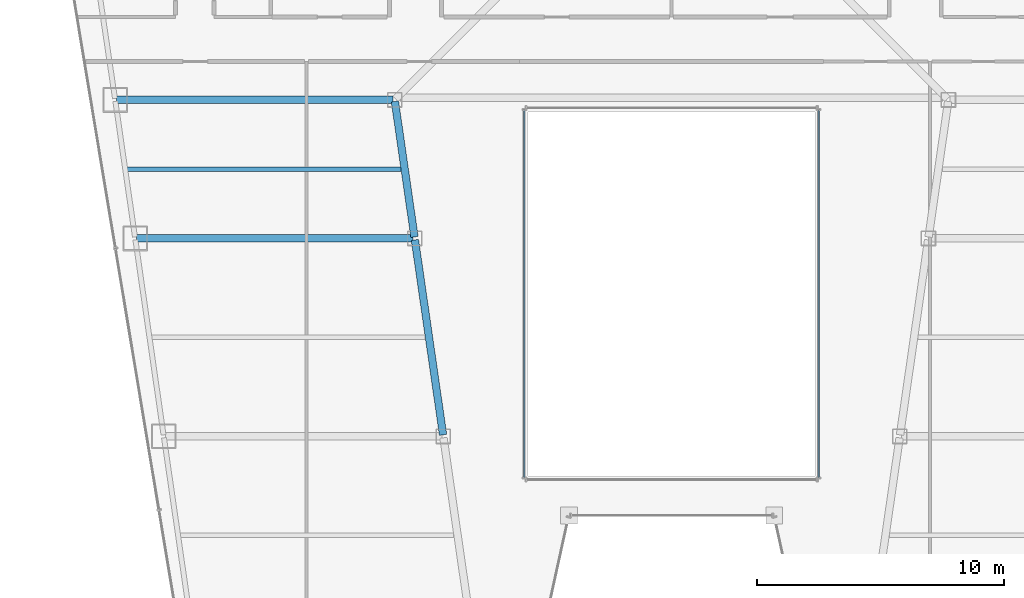
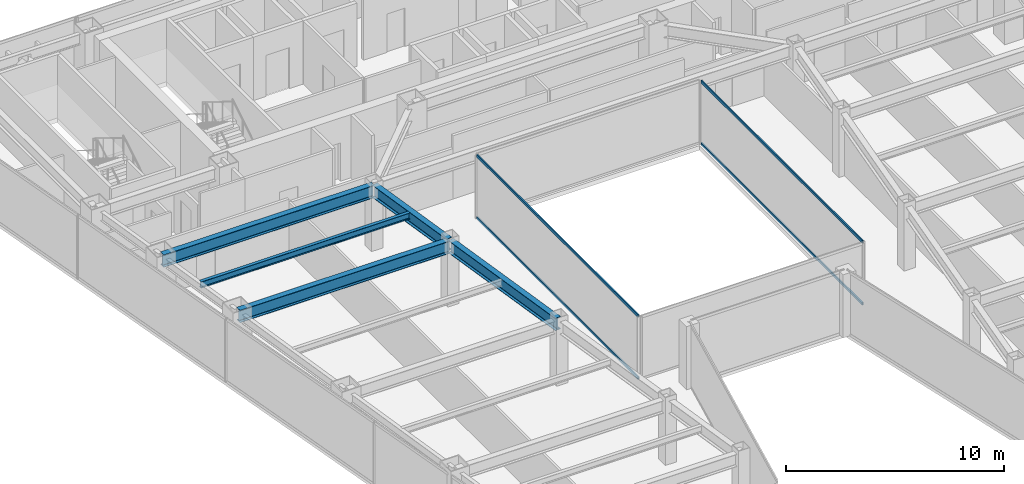
# One storey, part 10 of 36: 5 beams, 4 members, 2 elements without a shape of their own.
"""IFC4 building model written with IfcOpenShell, lengths in metres."""

from ifc_helpers import new_model, si_unit, direction, frame, origin, origin_2d, place, context, subcontext, project, spatial, hollow_rectangle, i_section, extrude, material, material_profile, profile_set, type_object, element, aggregate, save


model = new_model("IFC4")

# Units and contexts
model_context = context("Model", 3, precision=1e-05, world=origin(), true_north=direction((0.0, 1.0)))
body_context = subcontext(model_context, "Body", "Model", "MODEL_VIEW")
ifc_project = project(units=[si_unit("LENGTHUNIT", "METRE"), si_unit("AREAUNIT", "SQUARE_METRE"), si_unit("VOLUMEUNIT", "CUBIC_METRE"), si_unit("PLANEANGLEUNIT", "RADIAN"), si_unit("MASSUNIT", "GRAM", prefix="KILO")], contexts=[model_context])

# Site, building, storey
site_placement = place(None, origin())
site = spatial("IfcSite", under=ifc_project, at=site_placement, CompositionType="ELEMENT")
building_placement = place(site_placement, origin())
building = spatial("IfcBuilding", under=site, at=building_placement, Name="Saevonmaru Cultural Tower", CompositionType="ELEMENT")
storey_placement = place(building_placement, frame((0.0, 0.0, 148.60009765625)))
storey = spatial("IfcBuildingStorey", under=building, at=storey_placement, Name="L32", CompositionType="ELEMENT", Elevation=148.60009765625)

# Beams
ifc_material_1 = material(Name="Steel SM355", Category="steel")
ifc_material_profile_1 = material_profile(ifc_material_1, i_section(OverallWidth=0.300048828125, OverallDepth=0.699951171875, WebThickness=0.012939453125, FlangeThickness=0.02392578125, FilletRadius=0.02587890625, at=origin_2d()), Name="H-700x300x13x24")
ifc_profile_set_1 = profile_set([ifc_material_profile_1], Name="Steel SM355")
beam_type_1 = type_object("IfcBeamType", Name="BM-G-H700", PredefinedType="BEAM", material=ifc_profile_set_1)
beam_1_placement = place(storey_placement, frame((20.763427734375, 24.059326171875, 3.199951171875), z_axis=(-0.142902032203, 0.989736838353, 0.0), x_axis=(-0.989736838353, -0.142902032203, 0.0)))
element("IfcBeam", 1, at=beam_1_placement, inside=storey, type_object=beam_type_1, Name="L32 West Atrium Girder 3", PredefinedType="BEAM", context=body_context, shape_type="SweptSolid", body=[
    extrude(i_section(OverallWidth=0.300048828125, OverallDepth=0.699951171875, WebThickness=0.012939453125, FlangeThickness=0.02392578125, FilletRadius=0.02587890625, at=origin_2d()), origin(), (0.0, 0.0, 1.0), 7.963134765625),
])
beam_2_placement = place(storey_placement, frame((19.6083984375, 32.059326171875, 3.199951171875), z_axis=(-0.142964121327, 0.989727871697, 0.0), x_axis=(-0.989727871697, -0.142964121327, 0.0)))
element("IfcBeam", 2, at=beam_2_placement, inside=storey, type_object=beam_type_1, Name="L32 West Atrium Girder 4", PredefinedType="BEAM", context=body_context, shape_type="SweptSolid", body=[
    extrude(i_section(OverallWidth=0.300048828125, OverallDepth=0.699951171875, WebThickness=0.012939453125, FlangeThickness=0.02392578125, FilletRadius=0.02587890625, at=origin_2d()), origin(), (0.0, 0.0, 1.0), 5.5380859375),
])
for number, where, z_axis, x_axis, name in (
    (3, (8.376953125, 32.0, 3.199951171875), (1.0, 0.0, 0.0), (0.0, 1.0, 0.0), "L32 West Wing Transverse Girder 4"),
    (4, (7.568115234375, 37.60009765625, 3.199951171875), (1.0, 0.0, 0.0), (0.0, 1.0, 0.0), "L32 West Wing Transverse Girder 5"),
):
    element("IfcBeam", number, at=place(storey_placement, frame(where, z_axis=z_axis, x_axis=x_axis)), inside=storey, type_object=beam_type_1, Name=name, PredefinedType="BEAM", context=body_context, shape_type="SweptSolid", body=[
        extrude(i_section(OverallWidth=0.300048828125, OverallDepth=0.699951171875, WebThickness=0.012939453125, FlangeThickness=0.02392578125, FilletRadius=0.02587890625, at=origin_2d()), origin(), (0.0, 0.0, 1.0), 11.179931640625),
    ])
ifc_material_profile_2 = material_profile(ifc_material_1, i_section(OverallWidth=0.175048828125, OverallDepth=0.35009765625, WebThickness=0.007080078125, FlangeThickness=0.010986328125, FilletRadius=0.012939453125, at=origin_2d()), Name="H-350x175x7x11")
ifc_profile_set_2 = profile_set([ifc_material_profile_2], Name="Steel SM355")
beam_type_2 = type_object("IfcBeamType", Name="BM-J-H350", PredefinedType="JOIST", material=ifc_profile_set_2)
beam_3_placement = place(storey_placement, frame((7.972412109375, 34.800048828125, 3.375), z_axis=(1.0, 0.0, 0.0), x_axis=(0.0, 1.0, 0.0)))
element("IfcBeam", 5, at=beam_3_placement, inside=storey, type_object=beam_type_2, Name="L32 West Wing Floor Joist 4", PredefinedType="JOIST", context=body_context, shape_type="SweptSolid", body=[
    extrude(i_section(OverallWidth=0.175048828125, OverallDepth=0.35009765625, WebThickness=0.007080078125, FlangeThickness=0.010986328125, FilletRadius=0.012939453125, at=origin_2d()), origin(), (0.0, 0.0, 1.0), 11.08203125),
])

# Curtain wall, members
ifc_material_2 = material(Name="Satin Bronze Anodised Aluminium", Category="aluminium")
curtain_wall_type = type_object("IfcCurtainWallType", Name="CW-ATR-GLZ", PredefinedType="NOTDEFINED", material=ifc_material_2)
curtain_wall_1_placement = place(storey_placement, origin())
curtain_wall_1 = element("IfcCurtainWall", 6, at=curtain_wall_1_placement, inside=storey, type_object=curtain_wall_type, Name="L32 Vertical Atrium Glazed Smoke Screen 2", PredefinedType="NOTDEFINED")
ifc_material_profile_3 = material_profile(ifc_material_2, hollow_rectangle(XDim=0.06494140625, YDim=0.14990234375, WallThickness=0.00390625, at=origin_2d()), Name="ALU-TRAN-150x65x4")
ifc_profile_set_3 = profile_set([ifc_material_profile_3], Name="Satin Bronze Anodised Aluminium")
member_type = type_object("IfcMemberType", Name="TR-CW-INT-150x65", PredefinedType="USERDEFINED", material=ifc_profile_set_3)
member_1_placement = place(storey_placement, frame((35.949951171875, 22.342529296875, 0.032470703125), z_axis=(0.0, 1.0, 0.0), x_axis=(-1.0, 0.0, 0.0)))
member_1 = element("IfcMember", 7, at=member_1_placement, type_object=member_type, Name="CW-ATR-L32-2 transom 1.1", ObjectType="TRANSOM", PredefinedType="USERDEFINED", context=body_context, shape_type="SweptSolid", body=[
    extrude(hollow_rectangle(XDim=0.06494140625, YDim=0.14990234375, WallThickness=0.00390625, at=origin_2d()), origin(), (0.0, 0.0, 1.0), 14.8349609375),
])
member_2_placement = place(storey_placement, frame((35.949951171875, 22.342529296875, 3.517333984375), z_axis=(0.0, 1.0, 0.0), x_axis=(-1.0, 0.0, 0.0)))
member_2 = element("IfcMember", 8, at=member_2_placement, type_object=member_type, Name="CW-ATR-L32-2 transom 1.2", ObjectType="TRANSOM", PredefinedType="USERDEFINED", context=body_context, shape_type="SweptSolid", body=[
    extrude(hollow_rectangle(XDim=0.06494140625, YDim=0.14990234375, WallThickness=0.00390625, at=origin_2d()), origin(), (0.0, 0.0, 1.0), 14.8349609375),
])
aggregate(curtain_wall_1, [member_1, member_2])

curtain_wall_2_placement = place(storey_placement, origin())
curtain_wall_2 = element("IfcCurtainWall", 9, at=curtain_wall_2_placement, inside=storey, type_object=curtain_wall_type, Name="L32 Vertical Atrium Glazed Smoke Screen 4", PredefinedType="NOTDEFINED")
member_3_placement = place(storey_placement, frame((24.050048828125, 37.177490234375, 0.032470703125), z_axis=(0.0, -1.0, 0.0), x_axis=(1.0, 0.0, 0.0)))
member_3 = element("IfcMember", 10, at=member_3_placement, type_object=member_type, Name="CW-ATR-L32-4 transom 1.1", ObjectType="TRANSOM", PredefinedType="USERDEFINED", context=body_context, shape_type="SweptSolid", body=[
    extrude(hollow_rectangle(XDim=0.06494140625, YDim=0.14990234375, WallThickness=0.00390625, at=origin_2d()), origin(), (0.0, 0.0, 1.0), 14.8349609375),
])
member_4_placement = place(storey_placement, frame((24.050048828125, 37.177490234375, 3.517333984375), z_axis=(0.0, -1.0, 0.0), x_axis=(1.0, 0.0, 0.0)))
member_4 = element("IfcMember", 11, at=member_4_placement, type_object=member_type, Name="CW-ATR-L32-4 transom 1.2", ObjectType="TRANSOM", PredefinedType="USERDEFINED", context=body_context, shape_type="SweptSolid", body=[
    extrude(hollow_rectangle(XDim=0.06494140625, YDim=0.14990234375, WallThickness=0.00390625, at=origin_2d()), origin(), (0.0, 0.0, 1.0), 14.8349609375),
])
aggregate(curtain_wall_2, [member_3, member_4])

save(model, "model.ifc")
